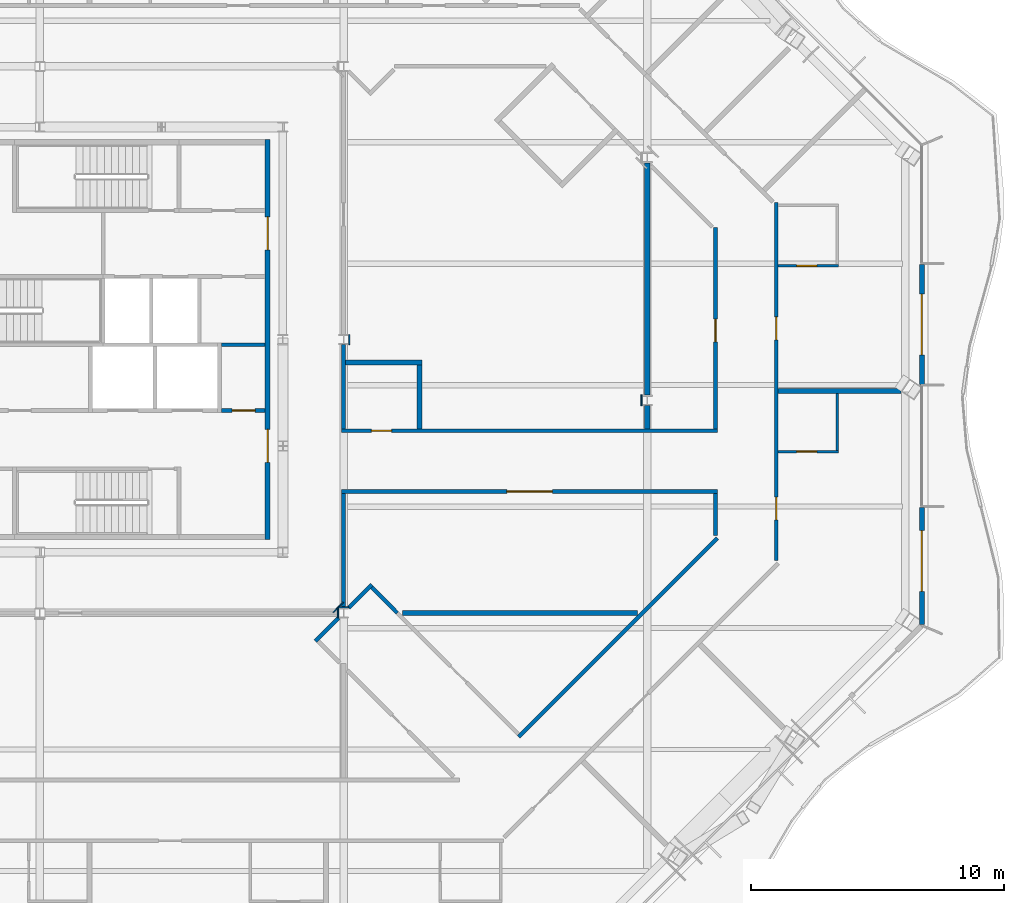
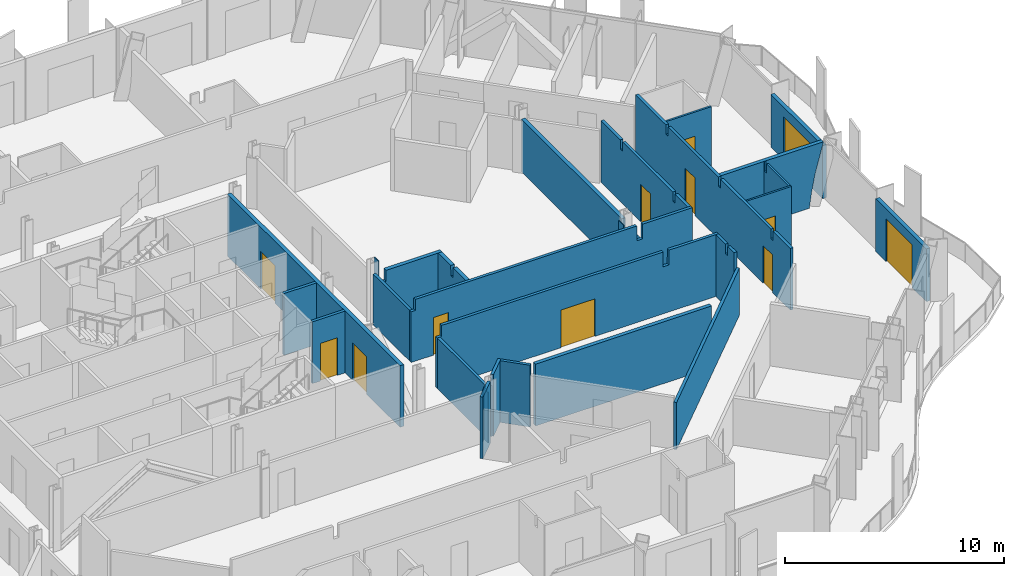
# One storey, part 11 of 19: 30 walls, 12 doors, 12 openings.
"""IFC4 building model written with IfcOpenShell, lengths in metres."""

from ifc_helpers import new_model, si_unit, direction, frame, frame_2d, origin, place, context, subcontext, project, spatial, polyline, rectangle, outline, extrude, material, layer, layer_set, type_object, element, fill, save


model = new_model("IFC4")

# Units and contexts
model_context = context("Model", 3, precision=1e-05, world=origin(), true_north=direction((0.0, 1.0)))
body_context = subcontext(model_context, "Body", "Model", "MODEL_VIEW")
ifc_project = project(units=[si_unit("LENGTHUNIT", "METRE"), si_unit("AREAUNIT", "SQUARE_METRE"), si_unit("VOLUMEUNIT", "CUBIC_METRE"), si_unit("PLANEANGLEUNIT", "RADIAN"), si_unit("MASSUNIT", "GRAM", prefix="KILO")], contexts=[model_context])

# Site, building, storey
site_placement = place(None, origin())
site = spatial("IfcSite", under=ifc_project, at=site_placement, CompositionType="ELEMENT")
building_placement = place(site_placement, origin())
building = spatial("IfcBuilding", under=site, at=building_placement, Name="Cairn Pilgrim Tower", CompositionType="ELEMENT")
storey_placement = place(building_placement, frame((0.0, 0.0, 193.800048828125)))
storey = spatial("IfcBuildingStorey", under=building, at=storey_placement, Name="L49", CompositionType="ELEMENT", Elevation=193.800048828125)

# Wall, opening, door
ifc_material_1 = material(Name="Bronze anodised aluminium insulated sandwich panel with mineral wool fill", Category="aluminium")
ifc_layer_1 = layer(ifc_material_1, 0.199951171875)
ifc_layer_set_1 = layer_set([ifc_layer_1], Name="BRONZE INFILL FRAME WALL 200")
wall_type_1 = type_object("IfcWallType", Name="BRONZE INFILL FRAME WALL 200", PredefinedType="NOTDEFINED", material=ifc_layer_set_1)
wall_1_placement = place(storey_placement, frame((42.050048828125, -8.8564453125, 0.0), z_axis=(0.0, 0.0, 1.0), x_axis=(0.0, 1.0, 0.0)))
wall_1 = element("IfcWall", 1, at=wall_1_placement, inside=storey, type_object=wall_type_1, Name="Bronze infill frame wall IW-E1", PredefinedType="NOTDEFINED", context=body_context, shape_type="SweptSolid", body=[
    extrude(rectangle(XDim=4.62646484375, YDim=0.199951171875, at=frame_2d((2.313232421875, 0.0))), origin(), (0.0, 0.0, 1.0), 2.949951171875),
])
opening_1_placement = place(wall_1_placement, frame((1.308349609375, 0.0, 0.0)))
opening_1 = element("IfcOpeningElement", 2, at=opening_1_placement, cuts=wall_1, Name="Opening 4904B2", PredefinedType="OPENING", context=body_context, shape_type="SweptSolid", body=[
    extrude(rectangle(XDim=2.39990234375, YDim=2.39990234375, at=frame_2d((1.199951171875, 1.199951171875))), frame((0.0, 0.10986328125, 0.0), z_axis=(0.0, -1.0, 0.0), x_axis=(1.0, 0.0, 0.0)), (0.0, 0.0, 1.0), 0.219970703125),
])
ifc_material_2 = material(Name="Bronze anodised aluminium frame with tinted low-E glass", Category="aluminium")
door_type_1 = type_object("IfcDoorType", Name="BALCONY SLIDING DOOR 2400x2400", OperationType="DOUBLE_DOOR_SLIDING", PredefinedType="DOOR", material=ifc_material_2)
door_1_placement = place(opening_1_placement, origin())
door_1 = element("IfcDoor", 3, at=door_1_placement, inside=storey, type_object=door_type_1, Name="Balcony sliding door 4904B2", OperationType="SINGLE_SWING_LEFT", OverallHeight=2.39990234375, OverallWidth=2.39990234375, PredefinedType="DOOR", context=body_context, shape_type="SweptSolid", body=[
    extrude(rectangle(XDim=2.39990234375, YDim=2.39990234375, at=frame_2d((1.199951171875, 1.199951171875))), frame((0.0, 0.02490234375, 0.0), z_axis=(0.0, -1.0, 0.0), x_axis=(1.0, 0.0, 0.0)), (0.0, 0.0, 1.0), 0.050048828125),
])
fill(opening_1, door_1)

wall_2_placement = place(storey_placement, frame((42.050048828125, 0.6298828125, 0.0), z_axis=(0.0, 0.0, 1.0), x_axis=(0.0, 1.0, 0.0)))
wall_2 = element("IfcWall", 4, at=wall_2_placement, inside=storey, type_object=wall_type_1, Name="Bronze infill frame wall IW-E3", PredefinedType="NOTDEFINED", context=body_context, shape_type="SweptSolid", body=[
    extrude(rectangle(XDim=4.740234375, YDim=0.199951171875, at=frame_2d((2.3701171875, 0.0))), origin(), (0.0, 0.0, 1.0), 2.949951171875),
])
opening_2_placement = place(wall_2_placement, frame((1.169921875, 0.0, 0.0)))
opening_2 = element("IfcOpeningElement", 5, at=opening_2_placement, cuts=wall_2, Name="Opening 4905B", PredefinedType="OPENING", context=body_context, shape_type="SweptSolid", body=[
    extrude(rectangle(XDim=2.39990234375, YDim=2.39990234375, at=frame_2d((1.199951171875, 1.199951171875))), frame((0.0, 0.10986328125, 0.0), z_axis=(0.0, -1.0, 0.0), x_axis=(1.0, 0.0, 0.0)), (0.0, 0.0, 1.0), 0.219970703125),
])
door_2_placement = place(opening_2_placement, origin())
door_2 = element("IfcDoor", 6, at=door_2_placement, inside=storey, type_object=door_type_1, Name="Balcony sliding door 4905B", OperationType="SINGLE_SWING_LEFT", OverallHeight=2.39990234375, OverallWidth=2.39990234375, PredefinedType="DOOR", context=body_context, shape_type="SweptSolid", body=[
    extrude(rectangle(XDim=2.39990234375, YDim=2.39990234375, at=frame_2d((1.199951171875, 1.199951171875))), frame((0.0, 0.02490234375, 0.0), z_axis=(0.0, -1.0, 0.0), x_axis=(1.0, 0.0, 0.0)), (0.0, 0.0, 1.0), 0.050048828125),
])
fill(opening_2, door_2)

# Wall, openings, doors
ifc_material_3 = material(Name="Concrete C32/40", Category="concrete")
ifc_layer_2 = layer(ifc_material_3, 0.199951171875)
ifc_layer_set_2 = layer_set([ifc_layer_2], Name="CORE OUTER WALL 200 EI 120")
wall_type_2 = type_object("IfcWallType", Name="CORE OUTER WALL 200 EI 120", PredefinedType="SOLIDWALL", material=ifc_layer_set_2)
wall_3_placement = place(storey_placement, frame((16.199951171875, -5.5, 0.0), z_axis=(0.0, 0.0, 1.0), x_axis=(0.0, 1.0, 0.0)))
wall_3 = element("IfcWall", 7, at=wall_3_placement, inside=storey, type_object=wall_type_2, Name="CW:L49:V31", PredefinedType="SOLIDWALL", context=body_context, shape_type="SweptSolid", body=[
    extrude(rectangle(XDim=15.800048828125, YDim=0.199951171875, at=frame_2d((7.89990234375, 0.0))), origin(), (0.0, 0.0, 1.0), 3.449951171875),
])
opening_3_placement = place(wall_3_placement, frame((3.050048828125, 0.0, 0.0)))
opening_3 = element("IfcOpeningElement", 8, at=opening_3_placement, cuts=wall_3, Name="Opening CD-E1", PredefinedType="OPENING", context=body_context, shape_type="SweptSolid", body=[
    extrude(rectangle(XDim=1.300048828125, YDim=2.10009765625, at=frame_2d((0.64990234375, 1.050048828125))), frame((0.0, 0.10986328125, 0.0), z_axis=(0.0, -1.0, 0.0), x_axis=(1.0, 0.0, 0.0)), (0.0, 0.0, 1.0), 0.219970703125),
])
opening_4_placement = place(wall_3_placement, frame((11.449951171875, 0.0, 0.0)))
opening_4 = element("IfcOpeningElement", 9, at=opening_4_placement, cuts=wall_3, Name="Opening CD-E2", PredefinedType="OPENING", context=body_context, shape_type="SweptSolid", body=[
    extrude(rectangle(XDim=1.300048828125, YDim=2.10009765625, at=frame_2d((0.64990234375, 1.050048828125))), frame((0.0, 0.10986328125, 0.0), z_axis=(0.0, -1.0, 0.0), x_axis=(1.0, 0.0, 0.0)), (0.0, 0.0, 1.0), 0.219970703125),
])
ifc_material_4 = material(Name="Painted steel", Category="steel")
door_type_2 = type_object("IfcDoorType", Name="CORE LOBBY DOOR 1300x2100", OperationType="DOUBLE_DOOR_SINGLE_SWING", PredefinedType="DOOR", material=ifc_material_4)
door_3_placement = place(opening_3_placement, origin())
door_3 = element("IfcDoor", 10, at=door_3_placement, inside=storey, type_object=door_type_2, Name="CD-E1", OperationType="DOUBLE_DOOR_SINGLE_SWING", OverallHeight=2.10009765625, OverallWidth=1.300048828125, PredefinedType="DOOR", context=body_context, shape_type="SweptSolid", body=[
    extrude(rectangle(XDim=1.300048828125, YDim=2.10009765625, at=frame_2d((0.64990234375, 1.050048828125))), frame((0.0, 0.02490234375, 0.0), z_axis=(0.0, -1.0, 0.0), x_axis=(1.0, 0.0, 0.0)), (0.0, 0.0, 1.0), 0.050048828125),
])
fill(opening_3, door_3)
door_4_placement = place(opening_4_placement, origin())
door_4 = element("IfcDoor", 11, at=door_4_placement, inside=storey, type_object=door_type_2, Name="CD-E2", OperationType="DOUBLE_DOOR_SINGLE_SWING", OverallHeight=2.10009765625, OverallWidth=1.300048828125, PredefinedType="DOOR", context=body_context, shape_type="SweptSolid", body=[
    extrude(rectangle(XDim=1.300048828125, YDim=2.10009765625, at=frame_2d((0.64990234375, 1.050048828125))), frame((0.0, 0.02490234375, 0.0), z_axis=(0.0, -1.0, 0.0), x_axis=(1.0, 0.0, 0.0)), (0.0, 0.0, 1.0), 0.050048828125),
])
fill(opening_4, door_4)

# Wall, opening, door
ifc_layer_3 = layer(ifc_material_3, 0.14990234375)
ifc_layer_set_3 = layer_set([ifc_layer_3], Name="CORE PARTITION 150 EI 60")
wall_type_3 = type_object("IfcWallType", Name="CORE PARTITION 150 EI 60", PredefinedType="PARTITIONING", material=ifc_layer_set_3)
wall_4_placement = place(storey_placement, frame((14.375, -0.39990234375, 0.0), z_axis=(0.0, 0.0, 1.0), x_axis=(1.0, 0.0, 0.0)))
wall_4 = element("IfcWall", 12, at=wall_4_placement, inside=storey, type_object=wall_type_3, Name="CW:L49:H06", PredefinedType="PARTITIONING", context=body_context, shape_type="SweptSolid", body=[
    extrude(rectangle(XDim=1.72509765625, YDim=0.14990234375, at=frame_2d((0.862548828125, 0.0))), origin(), (0.0, 0.0, 1.0), 3.449951171875),
])
opening_5_placement = place(wall_4_placement, frame((0.425048828125, 0.0, 0.0)))
opening_5 = element("IfcOpeningElement", 13, at=opening_5_placement, cuts=wall_4, Name="Opening RD-R2E", PredefinedType="OPENING", context=body_context, shape_type="SweptSolid", body=[
    extrude(rectangle(XDim=0.89990234375, YDim=2.10009765625, at=frame_2d((0.449951171875, 1.050048828125))), frame((0.0, 0.0849609375, 0.0), z_axis=(0.0, -1.0, 0.0), x_axis=(1.0, 0.0, 0.0)), (0.0, 0.0, 1.0), 0.169921875),
])
door_type_3 = type_object("IfcDoorType", Name="SERVICE ROOM DOOR 900x2100", OperationType="SINGLE_SWING_LEFT", PredefinedType="DOOR", material=ifc_material_4)
door_5_placement = place(opening_5_placement, origin())
door_5 = element("IfcDoor", 14, at=door_5_placement, inside=storey, type_object=door_type_3, Name="RD-R2E", OperationType="SINGLE_SWING_RIGHT", OverallHeight=2.10009765625, OverallWidth=0.89990234375, PredefinedType="DOOR", context=body_context, shape_type="SweptSolid", body=[
    extrude(rectangle(XDim=0.89990234375, YDim=2.10009765625, at=frame_2d((0.449951171875, 1.050048828125))), frame((0.0, 0.02490234375, 0.0), z_axis=(0.0, -1.0, 0.0), x_axis=(1.0, 0.0, 0.0)), (0.0, 0.0, 1.0), 0.050048828125),
])
fill(opening_5, door_5)

# Wall
wall_5_placement = place(storey_placement, frame((14.375, 2.199951171875, 0.0), z_axis=(0.0, 0.0, 1.0), x_axis=(1.0, 0.0, 0.0)))
element("IfcWall", 15, at=wall_5_placement, inside=storey, type_object=wall_type_3, Name="CW:L49:H08", PredefinedType="PARTITIONING", context=body_context, shape_type="SweptSolid", body=[
    extrude(rectangle(XDim=1.72509765625, YDim=0.14990234375, at=frame_2d((0.862548828125, 0.0))), origin(), (0.0, 0.0, 1.0), 3.449951171875),
])

# Wall, opening, door
ifc_material_5 = material(Name="Gypsum partition")
ifc_layer_4 = layer(ifc_material_5, 0.10009765625)
ifc_layer_set_4 = layer_set([ifc_layer_4], Name="PARTITION 100 DRYWALL")
wall_type_4 = type_object("IfcWallType", Name="PARTITION 100 DRYWALL", PredefinedType="PARTITIONING", material=ifc_layer_set_4)
wall_6_placement = place(storey_placement, frame((36.375, -2.02490234375, 0.0), z_axis=(0.0, 0.0, 1.0), x_axis=(1.0, 0.0, 0.0)))
wall_6 = element("IfcWall", 16, at=wall_6_placement, inside=storey, type_object=wall_type_4, Name="PARTITION W046", PredefinedType="PARTITIONING", context=body_context, shape_type="SweptSolid", body=[
    extrude(rectangle(XDim=2.375, YDim=0.10009765625, at=frame_2d((1.1875, 0.0))), origin(), (0.0, 0.0, 1.0), 3.449951171875),
])
opening_6_placement = place(wall_6_placement, frame((0.72509765625, 0.0, 0.0)))
opening_6 = element("IfcOpeningElement", 17, at=opening_6_placement, cuts=wall_6, Name="Opening 4904A", PredefinedType="OPENING", context=body_context, shape_type="SweptSolid", body=[
    extrude(rectangle(XDim=0.800048828125, YDim=2.10009765625, at=frame_2d((0.39990234375, 1.050048828125))), frame((0.0, 0.06005859375, 0.0), z_axis=(0.0, -1.0, 0.0), x_axis=(1.0, 0.0, 0.0)), (0.0, 0.0, 1.0), 0.1201171875),
])
ifc_material_6 = material(Name="Timber door leaf", Category="wood")
door_type_4 = type_object("IfcDoorType", Name="WC DOOR 800x2100", OperationType="NOTDEFINED", PredefinedType="DOOR", material=ifc_material_6)
door_6_placement = place(opening_6_placement, frame((0.800048828125, 0.0, 0.0), z_axis=(0.0, 0.0, 1.0), x_axis=(-1.0, 0.0, 0.0)))
door_6 = element("IfcDoor", 18, at=door_6_placement, inside=storey, type_object=door_type_4, Name="DOOR 4904A", OperationType="SINGLE_SWING_RIGHT", OverallHeight=2.10009765625, OverallWidth=0.800048828125, PredefinedType="DOOR", context=body_context, shape_type="SweptSolid", body=[
    extrude(rectangle(XDim=0.800048828125, YDim=2.10009765625, at=frame_2d((0.39990234375, 1.050048828125))), frame((0.0, 0.02490234375, 0.0), z_axis=(0.0, -1.0, 0.0), x_axis=(1.0, 0.0, 0.0)), (0.0, 0.0, 1.0), 0.050048828125),
])
fill(opening_6, door_6)

# Wall
wall_7_placement = place(storey_placement, frame((38.699951171875, -1.97509765625, 0.0), z_axis=(0.0, 0.0, 1.0), x_axis=(0.0, 1.0, 0.0)))
element("IfcWall", 19, at=wall_7_placement, inside=storey, type_object=wall_type_4, Name="PARTITION W047", PredefinedType="PARTITIONING", context=body_context, shape_type="SweptSolid", body=[
    extrude(outline(polyline([(0.0, 0.0), (2.25, 0.0), (2.25, 3.449951171875), (2.22509765625, 3.449951171875), (2.222900390625, 2.929931640625), (2.02490234375, 2.929931640625), (2.02294921875, 3.449951171875), (0.0, 3.449951171875), (0.0, 0.0)])), frame((0.0, 0.050048828125, 0.0), z_axis=(0.0, -1.0, 0.0), x_axis=(1.0, 0.0, 0.0)), (0.0, 0.0, 1.0), 0.10009765625),
])

# Wall, opening, door
wall_8_placement = place(storey_placement, frame((36.375, 5.31494140625, 0.0), z_axis=(0.0, 0.0, 1.0), x_axis=(1.0, 0.0, 0.0)))
wall_8 = element("IfcWall", 20, at=wall_8_placement, inside=storey, type_object=wall_type_4, Name="PARTITION W062", PredefinedType="PARTITIONING", context=body_context, shape_type="SweptSolid", body=[
    extrude(rectangle(XDim=2.375, YDim=0.10009765625, at=frame_2d((1.1875, 0.0))), origin(), (0.0, 0.0, 1.0), 3.449951171875),
])
opening_7_placement = place(wall_8_placement, frame((0.72509765625, 0.0, 0.0)))
opening_7 = element("IfcOpeningElement", 21, at=opening_7_placement, cuts=wall_8, Name="Opening 4905A", PredefinedType="OPENING", context=body_context, shape_type="SweptSolid", body=[
    extrude(rectangle(XDim=0.800048828125, YDim=2.10009765625, at=frame_2d((0.39990234375, 1.050048828125))), frame((0.0, 0.06005859375, 0.0), z_axis=(0.0, -1.0, 0.0), x_axis=(1.0, 0.0, 0.0)), (0.0, 0.0, 1.0), 0.1201171875),
])
door_7_placement = place(opening_7_placement, frame((0.800048828125, 0.0, 0.0), z_axis=(0.0, 0.0, 1.0), x_axis=(-1.0, 0.0, 0.0)))
door_7 = element("IfcDoor", 22, at=door_7_placement, inside=storey, type_object=door_type_4, Name="DOOR 4905A", OperationType="SINGLE_SWING_RIGHT", OverallHeight=2.10009765625, OverallWidth=0.800048828125, PredefinedType="DOOR", context=body_context, shape_type="SweptSolid", body=[
    extrude(rectangle(XDim=0.800048828125, YDim=2.10009765625, at=frame_2d((0.39990234375, 1.050048828125))), frame((0.0, 0.02490234375, 0.0), z_axis=(0.0, -1.0, 0.0), x_axis=(1.0, 0.0, 0.0)), (0.0, 0.0, 1.0), 0.050048828125),
])
fill(opening_7, door_7)

# Walls
ifc_layer_5 = layer(ifc_material_5, 0.14990234375)
ifc_layer_set_5 = layer_set([ifc_layer_5], Name="PARTITION 150 DRYWALL EI 60")
wall_type_5 = type_object("IfcWallType", Name="PARTITION 150 DRYWALL EI 60", PredefinedType="PARTITIONING", material=ifc_layer_set_5)
wall_9_placement = place(storey_placement, frame((26.117919921875, -13.302978515625, 0.0), z_axis=(0.0, 0.0, 1.0), x_axis=(0.707117766991, 0.707095795212, 0.0)))
element("IfcWall", 23, at=wall_9_placement, inside=storey, type_object=wall_type_5, Name="PARTITION W024", PredefinedType="PARTITIONING", context=body_context, shape_type="SweptSolid", body=[
    extrude(rectangle(XDim=11.111572265625, YDim=0.14990234375, at=frame_2d((5.5556640625, 0.0))), origin(), (0.0, 0.0, 1.0), 2.6298828125),
])
wall_10_placement = place(storey_placement, frame((18.0859375, -9.513916015625, 0.0), z_axis=(0.0, 0.0, 1.0), x_axis=(0.707106781187, 0.707106781187, 0.0)))
element("IfcWall", 24, at=wall_10_placement, inside=storey, type_object=wall_type_5, Name="PARTITION W032", PredefinedType="PARTITIONING", context=body_context, shape_type="SweptSolid", body=[
    extrude(rectangle(XDim=1.29541015625, YDim=0.14990234375, at=frame_2d((0.647705078125, 0.0))), origin(), (0.0, 0.0, 1.0), 3.449951171875),
])
wall_11_placement = place(storey_placement, frame((21.321044921875, -8.39990234375, 0.0), z_axis=(0.0, 0.0, 1.0), x_axis=(-0.706763941595, 0.707449454633, 0.0)))
element("IfcWall", 25, at=wall_11_placement, inside=storey, type_object=wall_type_5, Name="PARTITION W035", PredefinedType="PARTITIONING", context=body_context, shape_type="SweptSolid", body=[
    extrude(rectangle(XDim=1.424560546875, YDim=0.14990234375, at=frame_2d((0.71240234375, 0.0))), origin(), (0.0, 0.0, 1.0), 3.449951171875),
])
wall_12_placement = place(storey_placement, frame((19.199951171875, -8.20361328125, 0.0), z_axis=(0.0, 0.0, 1.0), x_axis=(0.0, 1.0, 0.0)))
element("IfcWall", 26, at=wall_12_placement, inside=storey, type_object=wall_type_5, Name="PARTITION W038", PredefinedType="PARTITIONING", context=body_context, shape_type="SweptSolid", body=[
    extrude(rectangle(XDim=4.528564453125, YDim=0.14990234375, at=frame_2d((2.26416015625, 0.0))), origin(), (0.0, 0.0, 1.0), 2.829833984375),
])
wall_13_placement = place(storey_placement, frame((19.39794921875, -8.201904296875, 0.0), z_axis=(0.0, 0.0, 1.0), x_axis=(0.707200993001, 0.707012556818, 0.0)))
element("IfcWall", 27, at=wall_13_placement, inside=storey, type_object=wall_type_5, Name="PARTITION W039", PredefinedType="PARTITIONING", context=body_context, shape_type="SweptSolid", body=[
    extrude(rectangle(XDim=1.295654296875, YDim=0.14990234375, at=frame_2d((0.64794921875, 0.0))), origin(), (0.0, 0.0, 1.0), 3.449951171875),
])

# Wall, openings, doors
wall_14_placement = place(storey_placement, frame((36.300048828125, -6.333984375, 0.0), z_axis=(0.0, 0.0, 1.0), x_axis=(0.0, 1.0, 0.0)))
wall_14 = element("IfcWall", 28, at=wall_14_placement, inside=storey, type_object=wall_type_5, Name="PARTITION W040", PredefinedType="PARTITIONING", context=body_context, shape_type="SweptSolid", body=[
    extrude(outline(polyline([(0.0, 0.0), (14.155029296875, 0.0), (14.155029296875, 3.449951171875), (11.3837890625, 3.449951171875), (11.3818359375, 2.929931640625), (11.183837890625, 2.929931640625), (11.181884765625, 3.449951171875), (6.583984375, 3.449951171875), (6.581787109375, 2.929931640625), (6.3837890625, 2.929931640625), (6.3818359375, 3.449951171875), (1.783935546875, 3.449951171875), (1.781982421875, 2.929931640625), (1.583984375, 2.929931640625), (1.581787109375, 3.449951171875), (0.0, 3.449951171875), (0.0, 0.0)])), frame((0.0, 0.074951171875, 0.0), z_axis=(0.0, -1.0, 0.0), x_axis=(1.0, 0.0, 0.0)), (0.0, 0.0, 1.0), 0.14990234375),
])
opening_8_placement = place(wall_14_placement, frame((1.614013671875, 0.0, 0.0)))
opening_8 = element("IfcOpeningElement", 29, at=opening_8_placement, cuts=wall_14, Name="Opening 4904", PredefinedType="OPENING", context=body_context, shape_type="SweptSolid", body=[
    extrude(rectangle(XDim=0.89990234375, YDim=2.10009765625, at=frame_2d((0.449951171875, 1.050048828125))), frame((0.0, 0.0849609375, 0.0), z_axis=(0.0, -1.0, 0.0), x_axis=(1.0, 0.0, 0.0)), (0.0, 0.0, 1.0), 0.169921875),
])
opening_9_placement = place(wall_14_placement, frame((8.72900390625, 0.0, 0.0)))
opening_9 = element("IfcOpeningElement", 30, at=opening_9_placement, cuts=wall_14, Name="Opening 4905", PredefinedType="OPENING", context=body_context, shape_type="SweptSolid", body=[
    extrude(rectangle(XDim=0.89990234375, YDim=2.10009765625, at=frame_2d((0.449951171875, 1.050048828125))), frame((0.0, 0.0849609375, 0.0), z_axis=(0.0, -1.0, 0.0), x_axis=(1.0, 0.0, 0.0)), (0.0, 0.0, 1.0), 0.169921875),
])
door_type_5 = type_object("IfcDoorType", Name="ROOM DOOR 900x2100 FD30S", OperationType="NOTDEFINED", PredefinedType="DOOR", material=ifc_material_6)
door_8_placement = place(opening_8_placement, frame((0.89990234375, 0.0, 0.0), z_axis=(0.0, 0.0, 1.0), x_axis=(-1.0, 0.0, 0.0)))
door_8 = element("IfcDoor", 31, at=door_8_placement, inside=storey, type_object=door_type_5, Name="DOOR 4904", OperationType="SINGLE_SWING_RIGHT", OverallHeight=2.10009765625, OverallWidth=0.89990234375, PredefinedType="DOOR", context=body_context, shape_type="SweptSolid", body=[
    extrude(rectangle(XDim=0.89990234375, YDim=2.10009765625, at=frame_2d((0.449951171875, 1.050048828125))), frame((0.0, 0.02490234375, 0.0), z_axis=(0.0, -1.0, 0.0), x_axis=(1.0, 0.0, 0.0)), (0.0, 0.0, 1.0), 0.050048828125),
])
fill(opening_8, door_8)
door_9_placement = place(opening_9_placement, frame((0.89990234375, 0.0, 0.0), z_axis=(0.0, 0.0, 1.0), x_axis=(-1.0, 0.0, 0.0)))
door_9 = element("IfcDoor", 32, at=door_9_placement, inside=storey, type_object=door_type_5, Name="DOOR 4905", OperationType="SINGLE_SWING_RIGHT", OverallHeight=2.10009765625, OverallWidth=0.89990234375, PredefinedType="DOOR", context=body_context, shape_type="SweptSolid", body=[
    extrude(rectangle(XDim=0.89990234375, YDim=2.10009765625, at=frame_2d((0.449951171875, 1.050048828125))), frame((0.0, 0.02490234375, 0.0), z_axis=(0.0, -1.0, 0.0), x_axis=(1.0, 0.0, 0.0)), (0.0, 0.0, 1.0), 0.050048828125),
])
fill(opening_9, door_9)

# Wall
wall_15_placement = place(storey_placement, frame((33.89990234375, -5.33984375, 0.0), z_axis=(0.0, 0.0, 1.0), x_axis=(0.0, 1.0, 0.0)))
element("IfcWall", 33, at=wall_15_placement, inside=storey, type_object=wall_type_5, Name="PARTITION W042", PredefinedType="PARTITIONING", context=body_context, shape_type="SweptSolid", body=[
    extrude(outline(polyline([(0.0, 0.0), (1.664794921875, 0.0), (1.664794921875, 3.449951171875), (0.789794921875, 3.449951171875), (0.787841796875, 2.929931640625), (0.58984375, 2.929931640625), (0.587890625, 3.449951171875), (0.0, 3.449951171875), (0.0, 0.0)])), frame((0.0, 0.074951171875, 0.0), z_axis=(0.0, -1.0, 0.0), x_axis=(1.0, 0.0, 0.0)), (0.0, 0.0, 1.0), 0.14990234375),
])

# Wall, opening, door
wall_16_placement = place(storey_placement, frame((19.125, -3.60009765625, 0.0), z_axis=(0.0, 0.0, 1.0), x_axis=(1.0, 0.0, 0.0)))
wall_16 = element("IfcWall", 34, at=wall_16_placement, inside=storey, type_object=wall_type_5, Name="PARTITION W045", PredefinedType="PARTITIONING", context=body_context, shape_type="SweptSolid", body=[
    extrude(outline(polyline([(0.0, 0.0), (14.85009765625, 0.0), (14.85009765625, 3.449951171875), (12.22509765625, 3.449951171875), (12.222900390625, 2.6298828125), (11.925048828125, 2.6298828125), (11.923095703125, 3.449951171875), (0.22509765625, 3.449951171875), (0.222900390625, 2.829833984375), (0.0, 2.829833984375), (0.0, 0.0)])), frame((0.0, 0.074951171875, 0.0), z_axis=(0.0, -1.0, 0.0), x_axis=(1.0, 0.0, 0.0)), (0.0, 0.0, 1.0), 0.14990234375),
])
opening_10_placement = place(wall_16_placement, frame((6.52490234375, 0.0, 0.0)))
opening_10 = element("IfcOpeningElement", 35, at=opening_10_placement, cuts=wall_16, Name="Opening 4925", PredefinedType="OPENING", context=body_context, shape_type="SweptSolid", body=[
    extrude(rectangle(XDim=1.800048828125, YDim=2.10009765625, at=frame_2d((0.89990234375, 1.050048828125))), frame((0.0, 0.0849609375, 0.0), z_axis=(0.0, -1.0, 0.0), x_axis=(1.0, 0.0, 0.0)), (0.0, 0.0, 1.0), 0.169921875),
])
door_type_6 = type_object("IfcDoorType", Name="DOOR PAIR 1800x2100 FD60S", OperationType="NOTDEFINED", PredefinedType="DOOR", material=ifc_material_6)
door_10_placement = place(opening_10_placement, frame((1.800048828125, 0.0, 0.0), z_axis=(0.0, 0.0, 1.0), x_axis=(-1.0, 0.0, 0.0)))
door_10 = element("IfcDoor", 36, at=door_10_placement, inside=storey, type_object=door_type_6, Name="DOOR 4925", OperationType="DOUBLE_DOOR_SINGLE_SWING", OverallHeight=2.10009765625, OverallWidth=1.800048828125, PredefinedType="DOOR", context=body_context, shape_type="SweptSolid", body=[
    extrude(rectangle(XDim=1.800048828125, YDim=2.10009765625, at=frame_2d((0.89990234375, 1.050048828125))), frame((0.0, 0.02490234375, 0.0), z_axis=(0.0, -1.0, 0.0), x_axis=(1.0, 0.0, 0.0)), (0.0, 0.0, 1.0), 0.050048828125),
])
fill(opening_10, door_10)

wall_17_placement = place(storey_placement, frame((19.125, -1.199951171875, 0.0), z_axis=(0.0, 0.0, 1.0), x_axis=(1.0, 0.0, 0.0)))
wall_17 = element("IfcWall", 37, at=wall_17_placement, inside=storey, type_object=wall_type_5, Name="PARTITION W048", PredefinedType="PARTITIONING", context=body_context, shape_type="SweptSolid", body=[
    extrude(outline(polyline([(0.0, 0.0), (14.85009765625, 0.0), (14.85009765625, 3.449951171875), (12.22509765625, 3.449951171875), (12.222900390625, 2.6298828125), (11.925048828125, 2.6298828125), (11.923095703125, 3.449951171875), (0.22509765625, 3.449951171875), (0.222900390625, 2.829833984375), (0.0, 2.829833984375), (0.0, 0.0)])), frame((0.0, 0.074951171875, 0.0), z_axis=(0.0, -1.0, 0.0), x_axis=(1.0, 0.0, 0.0)), (0.0, 0.0, 1.0), 0.14990234375),
])
opening_11_placement = place(wall_17_placement, frame((1.175048828125, 0.0, 0.0)))
opening_11 = element("IfcOpeningElement", 38, at=opening_11_placement, cuts=wall_17, Name="Opening 4922", PredefinedType="OPENING", context=body_context, shape_type="SweptSolid", body=[
    extrude(rectangle(XDim=0.800048828125, YDim=2.10009765625, at=frame_2d((0.39990234375, 1.050048828125))), frame((0.0, 0.0849609375, 0.0), z_axis=(0.0, -1.0, 0.0), x_axis=(1.0, 0.0, 0.0)), (0.0, 0.0, 1.0), 0.169921875),
])
door_type_7 = type_object("IfcDoorType", Name="WC DOOR 800x2100 FD30S", OperationType="NOTDEFINED", PredefinedType="DOOR", material=ifc_material_6)
door_11_placement = place(opening_11_placement, origin())
door_11 = element("IfcDoor", 39, at=door_11_placement, inside=storey, type_object=door_type_7, Name="DOOR 4922", OperationType="SINGLE_SWING_RIGHT", OverallHeight=2.10009765625, OverallWidth=0.800048828125, PredefinedType="DOOR", context=body_context, shape_type="SweptSolid", body=[
    extrude(rectangle(XDim=0.800048828125, YDim=2.10009765625, at=frame_2d((0.39990234375, 1.050048828125))), frame((0.0, 0.02490234375, 0.0), z_axis=(0.0, -1.0, 0.0), x_axis=(1.0, 0.0, 0.0)), (0.0, 0.0, 1.0), 0.050048828125),
])
fill(opening_11, door_11)

# Wall
wall_18_placement = place(storey_placement, frame((19.199951171875, -1.125, 0.0), z_axis=(0.0, 0.0, 1.0), x_axis=(0.0, 1.0, 0.0)))
element("IfcWall", 40, at=wall_18_placement, inside=storey, type_object=wall_type_5, Name="PARTITION W049", PredefinedType="PARTITIONING", context=body_context, shape_type="SweptSolid", body=[
    extrude(rectangle(XDim=3.32861328125, YDim=0.14990234375, at=frame_2d((1.664306640625, 0.0))), origin(), (0.0, 0.0, 1.0), 2.829833984375),
])

# Wall, opening, door
wall_19_placement = place(storey_placement, frame((33.89990234375, -1.125, 0.0), z_axis=(0.0, 0.0, 1.0), x_axis=(0.0, 1.0, 0.0)))
wall_19 = element("IfcWall", 41, at=wall_19_placement, inside=storey, type_object=wall_type_5, Name="PARTITION W052", PredefinedType="PARTITIONING", context=body_context, shape_type="SweptSolid", body=[
    extrude(outline(polyline([(0.0, 0.0), (7.9521484375, 0.0), (7.9521484375, 3.449951171875), (6.175048828125, 3.449951171875), (6.173095703125, 2.929931640625), (5.97509765625, 2.929931640625), (5.972900390625, 3.449951171875), (1.375, 3.449951171875), (1.373046875, 2.929931640625), (1.175048828125, 2.929931640625), (1.173095703125, 3.449951171875), (0.0, 3.449951171875), (0.0, 0.0)])), frame((0.0, 0.074951171875, 0.0), z_axis=(0.0, -1.0, 0.0), x_axis=(1.0, 0.0, 0.0)), (0.0, 0.0, 1.0), 0.14990234375),
])
opening_12_placement = place(wall_19_placement, frame((3.43505859375, 0.0, 0.0)))
opening_12 = element("IfcOpeningElement", 42, at=opening_12_placement, cuts=wall_19, Name="Opening 4926", PredefinedType="OPENING", context=body_context, shape_type="SweptSolid", body=[
    extrude(rectangle(XDim=0.89990234375, YDim=2.10009765625, at=frame_2d((0.449951171875, 1.050048828125))), frame((0.0, 0.0849609375, 0.0), z_axis=(0.0, -1.0, 0.0), x_axis=(1.0, 0.0, 0.0)), (0.0, 0.0, 1.0), 0.169921875),
])
door_type_8 = type_object("IfcDoorType", Name="SERVICE DOOR 900x2100 FD30S", OperationType="NOTDEFINED", PredefinedType="DOOR", material=ifc_material_6)
door_12_placement = place(opening_12_placement, origin())
door_12 = element("IfcDoor", 43, at=door_12_placement, inside=storey, type_object=door_type_8, Name="DOOR 4926", OperationType="SINGLE_SWING_RIGHT", OverallHeight=2.10009765625, OverallWidth=0.89990234375, PredefinedType="DOOR", context=body_context, shape_type="SweptSolid", body=[
    extrude(rectangle(XDim=0.89990234375, YDim=2.10009765625, at=frame_2d((0.449951171875, 1.050048828125))), frame((0.0, 0.02490234375, 0.0), z_axis=(0.0, -1.0, 0.0), x_axis=(1.0, 0.0, 0.0)), (0.0, 0.0, 1.0), 0.050048828125),
])
fill(opening_12, door_12)

# Walls
ifc_layer_6 = layer(ifc_material_5, 0.050048828125)
ifc_layer_set_6 = layer_set([ifc_layer_6], Name="PARTITION 50 DRYWALL EI 60")
wall_type_6 = type_object("IfcWallType", Name="PARTITION 50 DRYWALL EI 60", PredefinedType="PARTITIONING", material=ifc_layer_set_6)
wall_20_placement = place(storey_placement, frame((18.786376953125, -8.38232421875, 0.0), z_axis=(0.0, 0.0, 1.0), x_axis=(0.707106781187, 0.707106781187, 0.0)))
element("IfcWall", 44, at=wall_20_placement, inside=storey, type_object=wall_type_6, Name="COLUMN CASING WC12", PredefinedType="PARTITIONING", context=body_context, shape_type="SweptSolid", body=[
    extrude(rectangle(XDim=0.56005859375, YDim=0.050048828125, at=frame_2d((0.280029296875, 0.0))), origin(), (0.0, 0.0, 1.0), 2.829833984375),
])
wall_21_placement = place(storey_placement, frame((19.00048828125, -8.178466796875, 0.0), z_axis=(0.0, 0.0, 1.0), x_axis=(1.0, 0.0, 0.0)))
element("IfcWall", 45, at=wall_21_placement, inside=storey, type_object=wall_type_6, Name="COLUMN CASING WC14", PredefinedType="PARTITIONING", context=body_context, shape_type="SweptSolid", body=[
    extrude(rectangle(XDim=0.39892578125, YDim=0.050048828125, at=frame_2d((0.199462890625, 0.0))), origin(), (0.0, 0.0, 1.0), 2.829833984375),
])
wall_22_placement = place(storey_placement, frame((18.9755859375, -8.596435546875, 0.0), z_axis=(0.0, 0.0, 1.0), x_axis=(0.0, 1.0, 0.0)))
element("IfcWall", 46, at=wall_22_placement, inside=storey, type_object=wall_type_6, Name="COLUMN CASING WC15", PredefinedType="PARTITIONING", context=body_context, shape_type="SweptSolid", body=[
    extrude(rectangle(XDim=0.392822265625, YDim=0.050048828125, at=frame_2d((0.1962890625, 0.0))), origin(), (0.0, 0.0, 1.0), 2.829833984375),
])
wall_23_placement = place(storey_placement, frame((19.424560546875, 2.20361328125, 0.0), z_axis=(0.0, 0.0, 1.0), x_axis=(0.0, 1.0, 0.0)))
element("IfcWall", 47, at=wall_23_placement, inside=storey, type_object=wall_type_6, Name="COLUMN CASING WC16", PredefinedType="PARTITIONING", context=body_context, shape_type="SweptSolid", body=[
    extrude(rectangle(XDim=0.392822265625, YDim=0.050048828125, at=frame_2d((0.1962890625, 0.0))), origin(), (0.0, 0.0, 1.0), 3.449951171875),
])
wall_24_placement = place(storey_placement, frame((30.970458984375, -0.21240234375, 0.0), z_axis=(0.0, 0.0, 1.0), x_axis=(0.0, 1.0, 0.0)))
element("IfcWall", 48, at=wall_24_placement, inside=storey, type_object=wall_type_6, Name="COLUMN CASING WC18", PredefinedType="PARTITIONING", context=body_context, shape_type="SweptSolid", body=[
    extrude(rectangle(XDim=0.4248046875, YDim=0.050048828125, at=frame_2d((0.21240234375, 0.0))), origin(), (0.0, 0.0, 1.0), 2.8798828125),
])
ifc_layer_7 = layer(ifc_material_5, 0.199951171875)
ifc_layer_set_7 = layer_set([ifc_layer_7], Name="SHAFT WALL 200 GYPSUM EI 60")
wall_type_7 = type_object("IfcWallType", Name="SHAFT WALL 200 GYPSUM EI 60", PredefinedType="PARTITIONING", material=ifc_layer_set_7)
wall_25_placement = place(storey_placement, frame((21.52685546875, -8.39990234375, 0.0), z_axis=(0.0, 0.0, 1.0), x_axis=(1.0, 0.0, 0.0)))
element("IfcWall", 49, at=wall_25_placement, inside=storey, type_object=wall_type_7, Name="PARTITION W036", PredefinedType="PARTITIONING", context=body_context, shape_type="SweptSolid", body=[
    extrude(rectangle(XDim=9.2880859375, YDim=0.199951171875, at=frame_2d((4.64404296875, 0.0))), origin(), (0.0, 0.0, 1.0), 3.449951171875),
])
wall_26_placement = place(storey_placement, frame((22.199951171875, -1.125, 0.0), z_axis=(0.0, 0.0, 1.0), x_axis=(0.0, 1.0, 0.0)))
element("IfcWall", 50, at=wall_26_placement, inside=storey, type_object=wall_type_7, Name="PARTITION W050", PredefinedType="PARTITIONING", context=body_context, shape_type="SweptSolid", body=[
    extrude(outline(polyline([(0.0, 0.0), (2.52490234375, 0.0), (2.52490234375, 3.449951171875), (1.3798828125, 3.449951171875), (1.3779296875, 2.8798828125), (1.169921875, 2.8798828125), (1.16796875, 3.449951171875), (0.0, 3.449951171875), (0.0, 0.0)])), frame((0.0, 0.10009765625, 0.0), z_axis=(0.0, -1.0, 0.0), x_axis=(1.0, 0.0, 0.0)), (0.0, 0.0, 1.0), 0.199951171875),
])
wall_27_placement = place(storey_placement, frame((31.199951171875, -1.125, 0.0), z_axis=(0.0, 0.0, 1.0), x_axis=(0.0, 1.0, 0.0)))
element("IfcWall", 51, at=wall_27_placement, inside=storey, type_object=wall_type_7, Name="PARTITION W051", PredefinedType="PARTITIONING", context=body_context, shape_type="SweptSolid", body=[
    extrude(rectangle(XDim=0.91259765625, YDim=0.199951171875, at=frame_2d((0.456298828125, 0.0))), origin(), (0.0, 0.0, 1.0), 2.6298828125),
])
wall_28_placement = place(storey_placement, frame((31.199951171875, 0.21240234375, 0.0), z_axis=(0.0, 0.0, 1.0), x_axis=(0.0, 1.0, 0.0)))
element("IfcWall", 52, at=wall_28_placement, inside=storey, type_object=wall_type_7, Name="PARTITION W053", PredefinedType="PARTITIONING", context=body_context, shape_type="SweptSolid", body=[
    extrude(rectangle(XDim=9.175048828125, YDim=0.199951171875, at=frame_2d((4.58740234375, 0.0))), origin(), (0.0, 0.0, 1.0), 2.929931640625),
])
wall_29_placement = place(storey_placement, frame((36.375, 0.375, 0.0), z_axis=(0.0, 0.0, 1.0), x_axis=(1.0, 0.0, 0.0)))
element("IfcWall", 53, at=wall_29_placement, inside=storey, type_object=wall_type_7, Name="PARTITION W056", PredefinedType="PARTITIONING", context=body_context, shape_type="SweptSolid", body=[
    extrude(outline(polyline([(0.0, 0.0), (4.671630859375, 0.0), (4.79248046875, 0.862548828125), (4.9541015625, 1.724853515625), (5.18017578125, 2.58740234375), (5.413818359375, 3.449951171875), (0.0, 3.449951171875), (0.0, 2.58740234375), (0.0, 1.724853515625), (0.0, 0.862548828125), (0.0, 0.0)])), frame((0.0, 0.10009765625, 0.0), z_axis=(0.0, -1.0, 0.0), x_axis=(1.0, 0.0, 0.0)), (0.0, 0.0, 1.0), 0.199951171875),
])
wall_30_placement = place(storey_placement, frame((19.27490234375, 1.5, 0.0), z_axis=(0.0, 0.0, 1.0), x_axis=(1.0, 0.0, 0.0)))
element("IfcWall", 54, at=wall_30_placement, inside=storey, type_object=wall_type_7, Name="PARTITION W057", PredefinedType="PARTITIONING", context=body_context, shape_type="SweptSolid", body=[
    extrude(outline(polyline([(0.0, 0.0), (3.025146484375, 0.0), (3.02490234375, 3.449951171875), (0.074951171875, 3.449951171875), (0.072998046875, 2.829833984375), (0.0, 2.829833984375), (0.0, 0.0)])), frame((0.0, 0.10009765625, 0.0), z_axis=(0.0, -1.0, 0.0), x_axis=(1.0, 0.0, 0.0)), (0.0, 0.0, 1.0), 0.199951171875),
])

save(model, "model.ifc")
